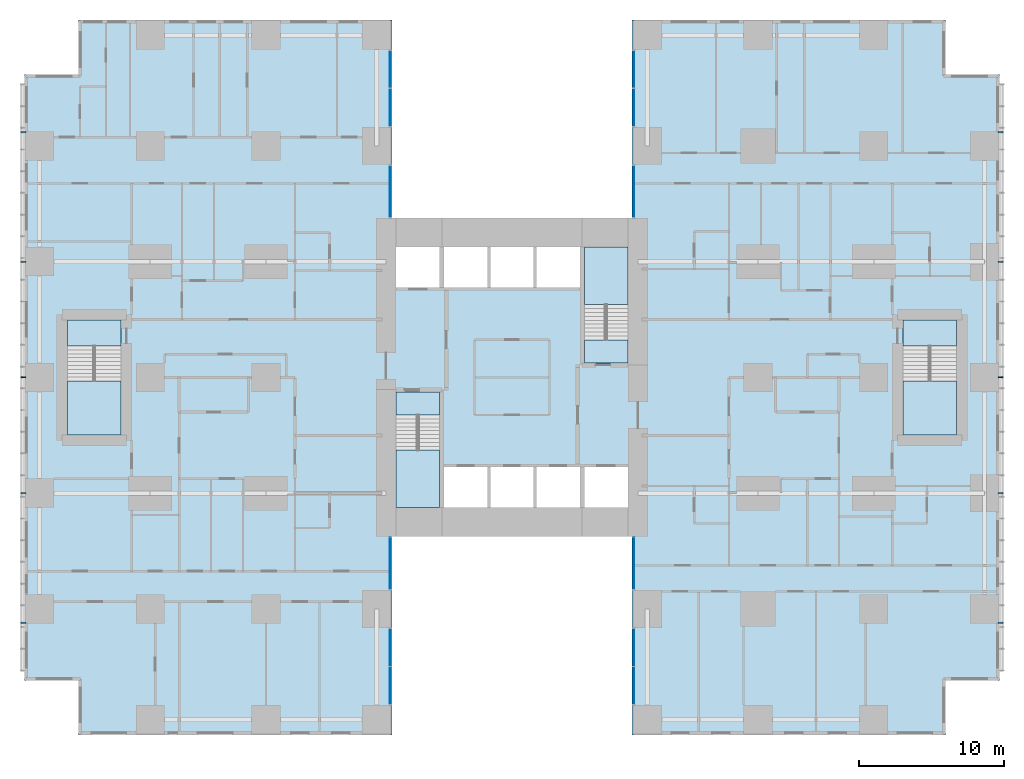
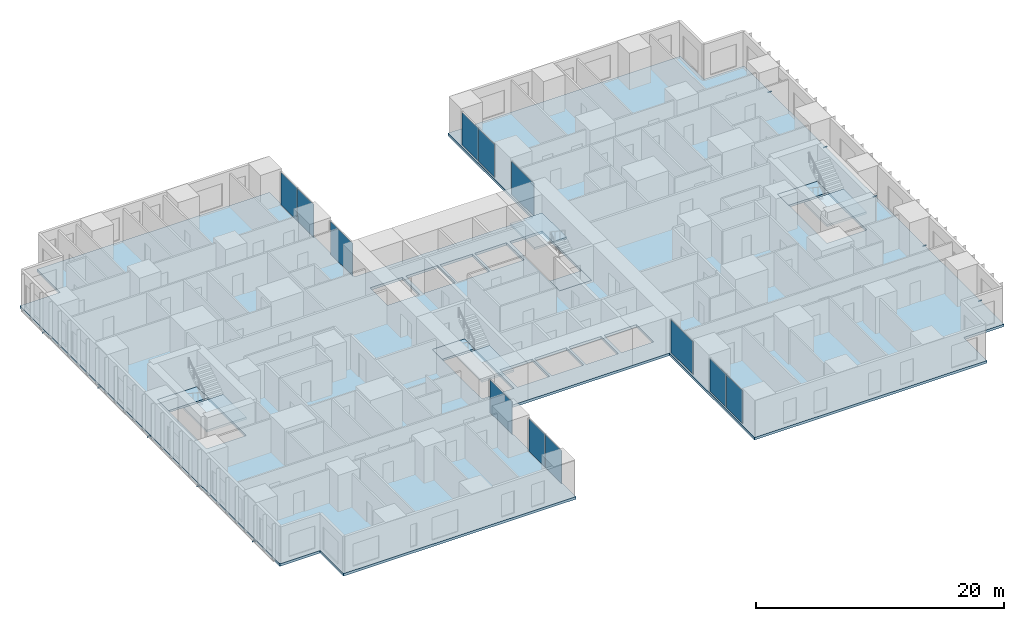
# One storey, part 7 of 20: 12 plates, 10 members, 9 slabs, 12 elements without a shape of their own.
"""IFC4 building model written with IfcOpenShell, lengths in metres."""

from ifc_helpers import new_model, si_unit, direction, frame, origin, origin_2d, place, context, subcontext, project, spatial, polyline, rectangle, hollow_rectangle, outline, extrude, material, layer, layer_set, material_profile, profile_set, type_object, element, aggregate, save


model = new_model("IFC4")

# Units and contexts
model_context = context("Model", 3, precision=1e-05, world=origin(), true_north=direction((0.0, 1.0)))
body_context = subcontext(model_context, "Body", "Model", "MODEL_VIEW")
ifc_project = project(units=[si_unit("LENGTHUNIT", "METRE"), si_unit("AREAUNIT", "SQUARE_METRE"), si_unit("VOLUMEUNIT", "CUBIC_METRE"), si_unit("PLANEANGLEUNIT", "RADIAN"), si_unit("MASSUNIT", "GRAM", prefix="KILO")], contexts=[model_context])

# Site, building, storey
site_placement = place(None, origin())
site = spatial("IfcSite", under=ifc_project, at=site_placement, CompositionType="ELEMENT")
building_placement = place(site_placement, origin())
building = spatial("IfcBuilding", under=site, at=building_placement, Name="Cleftline Residences", CompositionType="ELEMENT")
storey_placement = place(building_placement, frame((0.0, 0.0, 117.800048828125)))
storey = spatial("IfcBuildingStorey", under=building, at=storey_placement, Name="L30", CompositionType="ELEMENT", Elevation=117.800048828125)

# Members
ifc_material_1 = material(Name="Steel S355, hot-dip galvanised", Category="steel")
ifc_material_profile = material_profile(ifc_material_1, hollow_rectangle(XDim=0.10009765625, YDim=0.10009765625, WallThickness=0.008056640625, InnerFilletRadius=0.008056640625, OuterFilletRadius=0.011962890625, at=origin_2d()))
ifc_profile_set = profile_set([ifc_material_profile], Name="Steel S355, hot-dip galvanised")
member_type = type_object("IfcMemberType", Name="BAGUETTE BRACKET SHS 100X100X8", PredefinedType="USERDEFINED", material=ifc_profile_set)
for number, where, z_axis, x_axis, name in (
    (1, (66.60009765625, 7.050048828125, -0.150146484375), (1.0, 0.0, 0.0), (0.0, 1.0, 0.0), "Baguette bracket"),
    (2, (66.60009765625, 16.0, -0.150146484375), (1.0, 0.0, 0.0), (0.0, 1.0, 0.0), "Baguette bracket"),
    (3, (66.60009765625, 24.0, -0.150146484375), (1.0, 0.0, 0.0), (0.0, 1.0, 0.0), "Baguette bracket"),
    (4, (66.60009765625, 32.0, -0.150146484375), (1.0, 0.0, 0.0), (0.0, 1.0, 0.0), "Baguette bracket"),
    (5, (66.60009765625, 40.949951171875, -0.150146484375), (1.0, 0.0, 0.0), (0.0, 1.0, 0.0), "Baguette bracket"),
    (6, (-0.60009765625, 40.949951171875, -0.150146484375), (-1.0, 0.0, 0.0), (0.0, -1.0, 0.0), "Baguette bracket"),
    (7, (-0.60009765625, 32.0, -0.150146484375), (-1.0, 0.0, 0.0), (0.0, -1.0, 0.0), "Baguette bracket"),
    (8, (-0.60009765625, 24.0, -0.150146484375), (-1.0, 0.0, 0.0), (0.0, -1.0, 0.0), "Baguette bracket"),
    (9, (-0.60009765625, 16.0, -0.150146484375), (-1.0, 0.0, 0.0), (0.0, -1.0, 0.0), "Baguette bracket"),
    (10, (-0.60009765625, 7.050048828125, -0.150146484375), (-1.0, 0.0, 0.0), (0.0, -1.0, 0.0), "Baguette bracket"),
):
    element("IfcMember", number, at=place(storey_placement, frame(where, z_axis=z_axis, x_axis=x_axis)), inside=storey, type_object=member_type, Name=name, ObjectType="BAGUETTE BRACKET", PredefinedType="USERDEFINED", context=body_context, shape_type="SweptSolid", body=[
        extrude(hollow_rectangle(XDim=0.10009765625, YDim=0.10009765625, WallThickness=0.008056640625, InnerFilletRadius=0.008056640625, OuterFilletRadius=0.011962890625, at=origin_2d()), origin(), (0.0, 0.0, 1.0), 0.349853515625),
    ])

# Curtain wall, plates
ifc_material_2 = material(Name="Aluminium framed curtain wall", Category="aluminium")
ifc_layer_1 = layer(ifc_material_2, 0.199951171875)
ifc_layer_set_1 = layer_set([ifc_layer_1], Name="CW1 CLEFT GLAZING")
curtain_wall_type = type_object("IfcCurtainWallType", Name="CW1 CLEFT GLAZING", PredefinedType="NOTDEFINED", material=ifc_layer_set_1)
curtain_wall_1_placement = place(storey_placement, origin())
curtain_wall_1 = element("IfcCurtainWall", 11, at=curtain_wall_1_placement, inside=storey, type_object=curtain_wall_type, Name="Curtain wall CW1", PredefinedType="NOTDEFINED")
ifc_material_3 = material(Name="Laminated clear glass", Category="glass")
ifc_layer_2 = layer(ifc_material_3, 0.028076171875)
ifc_layer_set_2 = layer_set([ifc_layer_2], Name="CW1 GLASS PANEL")
plate_type = type_object("IfcPlateType", Name="CW1 GLASS PANEL", PredefinedType="CURTAIN_PANEL", material=ifc_layer_set_2)
plate_1_placement = place(storey_placement, frame((24.574951171875, 2.702392578125, 0.06005859375), z_axis=(0.0, 0.0, 1.0), x_axis=(0.0, 1.0, 0.0)))
plate_1 = element("IfcPlate", 12, at=plate_1_placement, type_object=plate_type, Name="CW1 panel 1.1", PredefinedType="CURTAIN_PANEL", context=body_context, shape_type="SweptSolid", body=[
    extrude(rectangle(XDim=2.5849609375, YDim=0.028076171875, at=origin_2d()), origin(), (0.0, 0.0, 1.0), 3.22998046875),
])
plate_2_placement = place(storey_placement, frame((24.574951171875, 5.347412109375, 0.06005859375), z_axis=(0.0, 0.0, 1.0), x_axis=(0.0, 1.0, 0.0)))
plate_2 = element("IfcPlate", 13, at=plate_2_placement, type_object=plate_type, Name="CW1 panel 2.1", PredefinedType="CURTAIN_PANEL", context=body_context, shape_type="SweptSolid", body=[
    extrude(rectangle(XDim=2.5849609375, YDim=0.028076171875, at=origin_2d()), origin(), (0.0, 0.0, 1.0), 3.22998046875),
])
aggregate(curtain_wall_1, [plate_1, plate_2])

# Curtain wall, plate
curtain_wall_2_placement = place(storey_placement, origin())
curtain_wall_2 = element("IfcCurtainWall", 14, at=curtain_wall_2_placement, inside=storey, type_object=curtain_wall_type, Name="Curtain wall CW1", PredefinedType="NOTDEFINED")
plate_3_placement = place(storey_placement, frame((24.574951171875, 11.14990234375, 0.06005859375), z_axis=(0.0, 0.0, 1.0), x_axis=(0.0, 1.0, 0.0)))
plate_3 = element("IfcPlate", 15, at=plate_3_placement, type_object=plate_type, Name="CW1 panel 1.1", PredefinedType="CURTAIN_PANEL", context=body_context, shape_type="SweptSolid", body=[
    extrude(rectangle(XDim=3.580078125, YDim=0.028076171875, at=origin_2d()), origin(), (0.0, 0.0, 1.0), 3.22998046875),
])
aggregate(curtain_wall_2, [plate_3])

curtain_wall_3_placement = place(storey_placement, origin())
curtain_wall_3 = element("IfcCurtainWall", 16, at=curtain_wall_3_placement, inside=storey, type_object=curtain_wall_type, Name="Curtain wall CW1", PredefinedType="NOTDEFINED")
plate_4_placement = place(storey_placement, frame((41.425048828125, 11.14990234375, 0.06005859375), z_axis=(0.0, 0.0, 1.0), x_axis=(0.0, -1.0, 0.0)))
plate_4 = element("IfcPlate", 17, at=plate_4_placement, type_object=plate_type, Name="CW1 panel 1.1", PredefinedType="CURTAIN_PANEL", context=body_context, shape_type="SweptSolid", body=[
    extrude(rectangle(XDim=3.580078125, YDim=0.028076171875, at=origin_2d()), origin(), (0.0, 0.0, 1.0), 3.22998046875),
])
aggregate(curtain_wall_3, [plate_4])

# Curtain wall, plates
curtain_wall_4_placement = place(storey_placement, origin())
curtain_wall_4 = element("IfcCurtainWall", 18, at=curtain_wall_4_placement, inside=storey, type_object=curtain_wall_type, Name="Curtain wall CW1", PredefinedType="NOTDEFINED")
plate_5_placement = place(storey_placement, frame((41.425048828125, 5.347412109375, 0.06005859375), z_axis=(0.0, 0.0, 1.0), x_axis=(0.0, -1.0, 0.0)))
plate_5 = element("IfcPlate", 19, at=plate_5_placement, type_object=plate_type, Name="CW1 panel 1.1", PredefinedType="CURTAIN_PANEL", context=body_context, shape_type="SweptSolid", body=[
    extrude(rectangle(XDim=2.5849609375, YDim=0.028076171875, at=origin_2d()), origin(), (0.0, 0.0, 1.0), 3.22998046875),
])
plate_6_placement = place(storey_placement, frame((41.425048828125, 2.702392578125, 0.06005859375), z_axis=(0.0, 0.0, 1.0), x_axis=(0.0, -1.0, 0.0)))
plate_6 = element("IfcPlate", 20, at=plate_6_placement, type_object=plate_type, Name="CW1 panel 2.1", PredefinedType="CURTAIN_PANEL", context=body_context, shape_type="SweptSolid", body=[
    extrude(rectangle(XDim=2.5849609375, YDim=0.028076171875, at=origin_2d()), origin(), (0.0, 0.0, 1.0), 3.22998046875),
])
aggregate(curtain_wall_4, [plate_5, plate_6])

curtain_wall_5_placement = place(storey_placement, origin())
curtain_wall_5 = element("IfcCurtainWall", 21, at=curtain_wall_5_placement, inside=storey, type_object=curtain_wall_type, Name="Curtain wall CW1", PredefinedType="NOTDEFINED")
plate_7_placement = place(storey_placement, frame((41.425048828125, 45.297607421875, 0.06005859375), z_axis=(0.0, 0.0, 1.0), x_axis=(0.0, -1.0, 0.0)))
plate_7 = element("IfcPlate", 22, at=plate_7_placement, type_object=plate_type, Name="CW1 panel 1.1", PredefinedType="CURTAIN_PANEL", context=body_context, shape_type="SweptSolid", body=[
    extrude(rectangle(XDim=2.5849609375, YDim=0.028076171875, at=origin_2d()), origin(), (0.0, 0.0, 1.0), 3.22998046875),
])
plate_8_placement = place(storey_placement, frame((41.425048828125, 42.652587890625, 0.06005859375), z_axis=(0.0, 0.0, 1.0), x_axis=(0.0, -1.0, 0.0)))
plate_8 = element("IfcPlate", 23, at=plate_8_placement, type_object=plate_type, Name="CW1 panel 2.1", PredefinedType="CURTAIN_PANEL", context=body_context, shape_type="SweptSolid", body=[
    extrude(rectangle(XDim=2.5849609375, YDim=0.028076171875, at=origin_2d()), origin(), (0.0, 0.0, 1.0), 3.22998046875),
])
aggregate(curtain_wall_5, [plate_7, plate_8])

# Curtain wall, plate
curtain_wall_6_placement = place(storey_placement, origin())
curtain_wall_6 = element("IfcCurtainWall", 24, at=curtain_wall_6_placement, inside=storey, type_object=curtain_wall_type, Name="Curtain wall CW1", PredefinedType="NOTDEFINED")
plate_9_placement = place(storey_placement, frame((41.425048828125, 36.85009765625, 0.06005859375), z_axis=(0.0, 0.0, 1.0), x_axis=(0.0, -1.0, 0.0)))
plate_9 = element("IfcPlate", 25, at=plate_9_placement, type_object=plate_type, Name="CW1 panel 1.1", PredefinedType="CURTAIN_PANEL", context=body_context, shape_type="SweptSolid", body=[
    extrude(rectangle(XDim=3.580078125, YDim=0.028076171875, at=origin_2d()), origin(), (0.0, 0.0, 1.0), 3.22998046875),
])
aggregate(curtain_wall_6, [plate_9])

curtain_wall_7_placement = place(storey_placement, origin())
curtain_wall_7 = element("IfcCurtainWall", 26, at=curtain_wall_7_placement, inside=storey, type_object=curtain_wall_type, Name="Curtain wall CW1", PredefinedType="NOTDEFINED")
plate_10_placement = place(storey_placement, frame((24.574951171875, 36.85009765625, 0.06005859375), z_axis=(0.0, 0.0, 1.0), x_axis=(0.0, 1.0, 0.0)))
plate_10 = element("IfcPlate", 27, at=plate_10_placement, type_object=plate_type, Name="CW1 panel 1.1", PredefinedType="CURTAIN_PANEL", context=body_context, shape_type="SweptSolid", body=[
    extrude(rectangle(XDim=3.580078125, YDim=0.028076171875, at=origin_2d()), origin(), (0.0, 0.0, 1.0), 3.22998046875),
])
aggregate(curtain_wall_7, [plate_10])

# Curtain wall, plates
curtain_wall_8_placement = place(storey_placement, origin())
curtain_wall_8 = element("IfcCurtainWall", 28, at=curtain_wall_8_placement, inside=storey, type_object=curtain_wall_type, Name="Curtain wall CW1", PredefinedType="NOTDEFINED")
plate_11_placement = place(storey_placement, frame((24.574951171875, 42.652587890625, 0.06005859375), z_axis=(0.0, 0.0, 1.0), x_axis=(0.0, 1.0, 0.0)))
plate_11 = element("IfcPlate", 29, at=plate_11_placement, type_object=plate_type, Name="CW1 panel 1.1", PredefinedType="CURTAIN_PANEL", context=body_context, shape_type="SweptSolid", body=[
    extrude(rectangle(XDim=2.5849609375, YDim=0.028076171875, at=origin_2d()), origin(), (0.0, 0.0, 1.0), 3.22998046875),
])
plate_12_placement = place(storey_placement, frame((24.574951171875, 45.297607421875, 0.06005859375), z_axis=(0.0, 0.0, 1.0), x_axis=(0.0, 1.0, 0.0)))
plate_12 = element("IfcPlate", 30, at=plate_12_placement, type_object=plate_type, Name="CW1 panel 2.1", PredefinedType="CURTAIN_PANEL", context=body_context, shape_type="SweptSolid", body=[
    extrude(rectangle(XDim=2.5849609375, YDim=0.028076171875, at=origin_2d()), origin(), (0.0, 0.0, 1.0), 3.22998046875),
])
aggregate(curtain_wall_8, [plate_11, plate_12])

# Slab
ifc_material_4 = material(Name="Concrete B45", Category="concrete")
ifc_layer_3 = layer(ifc_material_4, 0.25)
ifc_layer_set_3 = layer_set([ifc_layer_3], Name="FLOOR SLAB 250")
slab_type_1 = type_object("IfcSlabType", Name="FLOOR SLAB 250", PredefinedType="FLOOR", material=ifc_layer_set_3)
slab_1_placement = place(storey_placement, frame((0.0, 0.0, -0.25)))
element("IfcSlab", 31, at=slab_1_placement, inside=storey, type_object=slab_type_1, Name="Floor slab L30", PredefinedType="FLOOR", context=body_context, shape_type="SweptSolid", body=[
    extrude(outline(polyline([(24.699951171875, 13.0), (41.300048828125, 13.0), (41.300048828125, -0.699951171875), (62.949951171875, -0.699951171875), (62.949951171875, 3.050048828125), (66.699951171875, 3.050048828125), (66.699951171875, 44.949951171875), (62.949951171875, 44.949951171875), (62.949951171875, 48.699951171875), (41.300048828125, 48.699951171875), (41.300048828125, 35.0), (24.699951171875, 35.0), (24.699951171875, 48.699951171875), (3.050048828125, 48.699951171875), (3.050048828125, 44.949951171875), (-0.699951171875, 44.949951171875), (-0.699951171875, 3.050048828125), (3.050048828125, 3.050048828125), (3.050048828125, -0.699951171875), (24.699951171875, -0.699951171875), (24.699951171875, 13.0)]), holes=[polyline([(28.0, 15.0), (28.0, 23.0), (25.0, 23.0), (25.0, 15.0), (28.0, 15.0)]), polyline([(41.0, 25.0), (41.0, 33.0), (38.0, 33.0), (38.0, 25.0), (41.0, 25.0)]), polyline([(28.0, 30.199951171875), (28.0, 33.0), (25.0, 33.0), (25.0, 30.199951171875), (28.0, 30.199951171875)]), polyline([(41.0, 15.0), (41.0, 17.800048828125), (38.0, 17.800048828125), (38.0, 15.0), (41.0, 15.0)]), polyline([(31.300048828125, 15.0), (31.300048828125, 17.800048828125), (28.300048828125, 17.800048828125), (28.300048828125, 15.0), (31.300048828125, 15.0)]), polyline([(34.5, 15.0), (34.5, 17.800048828125), (31.5, 17.800048828125), (31.5, 15.0), (34.5, 15.0)]), polyline([(37.699951171875, 15.0), (37.699951171875, 17.800048828125), (34.699951171875, 17.800048828125), (34.699951171875, 15.0), (37.699951171875, 15.0)]), polyline([(31.300048828125, 30.199951171875), (31.300048828125, 33.0), (28.300048828125, 33.0), (28.300048828125, 30.199951171875), (31.300048828125, 30.199951171875)]), polyline([(34.5, 30.199951171875), (34.5, 33.0), (31.5, 33.0), (31.5, 30.199951171875), (34.5, 30.199951171875)]), polyline([(37.699951171875, 30.199951171875), (37.699951171875, 33.0), (34.699951171875, 33.0), (34.699951171875, 30.199951171875), (37.699951171875, 30.199951171875)]), polyline([(63.72509765625, 20.02490234375), (63.72509765625, 27.97509765625), (60.02490234375, 27.97509765625), (60.02490234375, 20.02490234375), (63.72509765625, 20.02490234375)]), polyline([(5.97509765625, 20.02490234375), (5.97509765625, 27.97509765625), (2.27490234375, 27.97509765625), (2.27490234375, 20.02490234375), (5.97509765625, 20.02490234375)])]), origin(), (0.0, 0.0, 1.0), 0.25),
])

# Stair, slabs
ifc_material_5 = material(Name="Concrete B45, stone treads", Category="masonry")
stair_type_1 = type_object("IfcStairType", Name="STAIR A 1450 WIDE 180 RISER", PredefinedType="HALF_TURN_STAIR", material=ifc_material_5)
stair_1_placement = place(storey_placement, origin())
stair_1 = element("IfcStair", 32, at=stair_1_placement, inside=storey, type_object=stair_type_1, Name="Stair A L30", PredefinedType="HALF_TURN_STAIR")
ifc_material_6 = material(Name="Concrete B45", Category="concrete")
ifc_layer_4 = layer(ifc_material_6, 0.199951171875)
ifc_layer_set_4 = layer_set([ifc_layer_4], Name="STAIR LANDING 200")
slab_type_2 = type_object("IfcSlabType", Name="STAIR LANDING 200", PredefinedType="LANDING", material=ifc_layer_set_4)
slab_2_placement = place(storey_placement, frame((0.0, 0.0, -0.199951171875)))
slab_2 = element("IfcSlab", 33, at=slab_2_placement, type_object=slab_type_2, Name="ST-A landing 1", PredefinedType="LANDING", context=body_context, shape_type="SweptSolid", body=[
    extrude(outline(polyline([(25.0, 21.39990234375), (28.0, 21.39990234375), (28.0, 23.0), (25.0, 23.0), (25.0, 21.39990234375)])), origin(), (0.0, 0.0, 1.0), 0.199951171875),
])
slab_3_placement = place(storey_placement, frame((0.0, 0.0, 1.599853515625)))
slab_3 = element("IfcSlab", 34, at=slab_3_placement, type_object=slab_type_2, Name="ST-A landing 2", PredefinedType="LANDING", context=body_context, shape_type="SweptSolid", body=[
    extrude(outline(polyline([(25.0, 15.0), (28.0, 15.0), (28.0, 18.969970703125), (25.0, 18.969970703125), (25.0, 15.0)])), origin(), (0.0, 0.0, 1.0), 0.2001953125),
])
aggregate(stair_1, [slab_2, slab_3])

ifc_material_7 = material(Name="Concrete B45, stone treads", Category="masonry")
stair_type_2 = type_object("IfcStairType", Name="STAIR B 1450 WIDE 180 RISER", PredefinedType="HALF_TURN_STAIR", material=ifc_material_7)
stair_2_placement = place(storey_placement, origin())
stair_2 = element("IfcStair", 35, at=stair_2_placement, inside=storey, type_object=stair_type_2, Name="Stair B L30", PredefinedType="HALF_TURN_STAIR")
slab_4_placement = place(storey_placement, frame((0.0, 0.0, -0.199951171875)))
slab_4 = element("IfcSlab", 36, at=slab_4_placement, type_object=slab_type_2, Name="ST-B landing 1", PredefinedType="LANDING", context=body_context, shape_type="SweptSolid", body=[
    extrude(outline(polyline([(38.0, 25.0), (41.0, 25.0), (41.0, 26.60009765625), (38.0, 26.60009765625), (38.0, 25.0)])), origin(), (0.0, 0.0, 1.0), 0.199951171875),
])
slab_5_placement = place(storey_placement, frame((0.0, 0.0, 1.599853515625)))
slab_5 = element("IfcSlab", 37, at=slab_5_placement, type_object=slab_type_2, Name="ST-B landing 2", PredefinedType="LANDING", context=body_context, shape_type="SweptSolid", body=[
    extrude(outline(polyline([(38.0, 29.030029296875), (41.0, 29.030029296875), (41.0, 33.0), (38.0, 33.0), (38.0, 29.030029296875)])), origin(), (0.0, 0.0, 1.0), 0.2001953125),
])
aggregate(stair_2, [slab_4, slab_5])

ifc_material_8 = material(Name="Concrete B45, stone treads", Category="masonry")
stair_type_3 = type_object("IfcStairType", Name="STAIR E 1800 WIDE 180 RISER", PredefinedType="HALF_TURN_STAIR", material=ifc_material_8)
stair_3_placement = place(storey_placement, origin())
stair_3 = element("IfcStair", 38, at=stair_3_placement, inside=storey, type_object=stair_type_3, Name="Stair E L30", PredefinedType="HALF_TURN_STAIR")
slab_6_placement = place(storey_placement, frame((0.0, 0.0, -0.199951171875)))
slab_6 = element("IfcSlab", 39, at=slab_6_placement, type_object=slab_type_2, Name="ST-E landing 1", PredefinedType="LANDING", context=body_context, shape_type="SweptSolid", body=[
    extrude(outline(polyline([(60.02490234375, 26.175048828125), (63.72509765625, 26.175048828125), (63.72509765625, 27.97509765625), (60.02490234375, 27.97509765625), (60.02490234375, 26.175048828125)])), origin(), (0.0, 0.0, 1.0), 0.199951171875),
])
slab_7_placement = place(storey_placement, frame((0.0, 0.0, 1.599853515625)))
slab_7 = element("IfcSlab", 40, at=slab_7_placement, type_object=slab_type_2, Name="ST-E landing 2", PredefinedType="LANDING", context=body_context, shape_type="SweptSolid", body=[
    extrude(outline(polyline([(60.02490234375, 20.02490234375), (63.72509765625, 20.02490234375), (63.72509765625, 23.7451171875), (60.02490234375, 23.7451171875), (60.02490234375, 20.02490234375)])), origin(), (0.0, 0.0, 1.0), 0.2001953125),
])
aggregate(stair_3, [slab_6, slab_7])

ifc_material_9 = material(Name="Concrete B45, stone treads", Category="masonry")
stair_type_4 = type_object("IfcStairType", Name="STAIR W 1800 WIDE 180 RISER", PredefinedType="HALF_TURN_STAIR", material=ifc_material_9)
stair_4_placement = place(storey_placement, origin())
stair_4 = element("IfcStair", 41, at=stair_4_placement, inside=storey, type_object=stair_type_4, Name="Stair W L30", PredefinedType="HALF_TURN_STAIR")
slab_8_placement = place(storey_placement, frame((0.0, 0.0, -0.199951171875)))
slab_8 = element("IfcSlab", 42, at=slab_8_placement, type_object=slab_type_2, Name="ST-W landing 1", PredefinedType="LANDING", context=body_context, shape_type="SweptSolid", body=[
    extrude(outline(polyline([(2.27490234375, 26.175048828125), (5.97509765625, 26.175048828125), (5.97509765625, 27.97509765625), (2.27490234375, 27.97509765625), (2.27490234375, 26.175048828125)])), origin(), (0.0, 0.0, 1.0), 0.199951171875),
])
slab_9_placement = place(storey_placement, frame((0.0, 0.0, 1.599853515625)))
slab_9 = element("IfcSlab", 43, at=slab_9_placement, type_object=slab_type_2, Name="ST-W landing 2", PredefinedType="LANDING", context=body_context, shape_type="SweptSolid", body=[
    extrude(outline(polyline([(2.27490234375, 20.02490234375), (5.97509765625, 20.02490234375), (5.97509765625, 23.7451171875), (2.27490234375, 23.7451171875), (2.27490234375, 20.02490234375)])), origin(), (0.0, 0.0, 1.0), 0.2001953125),
])
aggregate(stair_4, [slab_8, slab_9])

save(model, "model.ifc")
